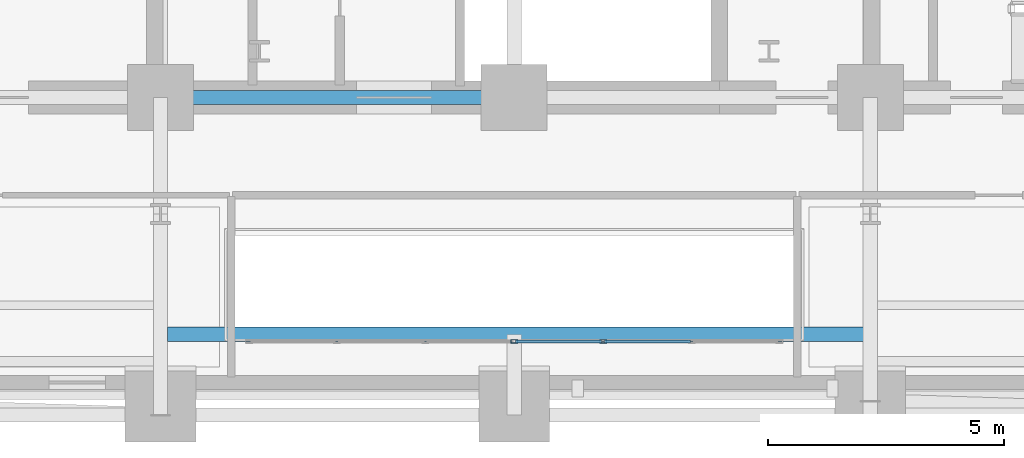
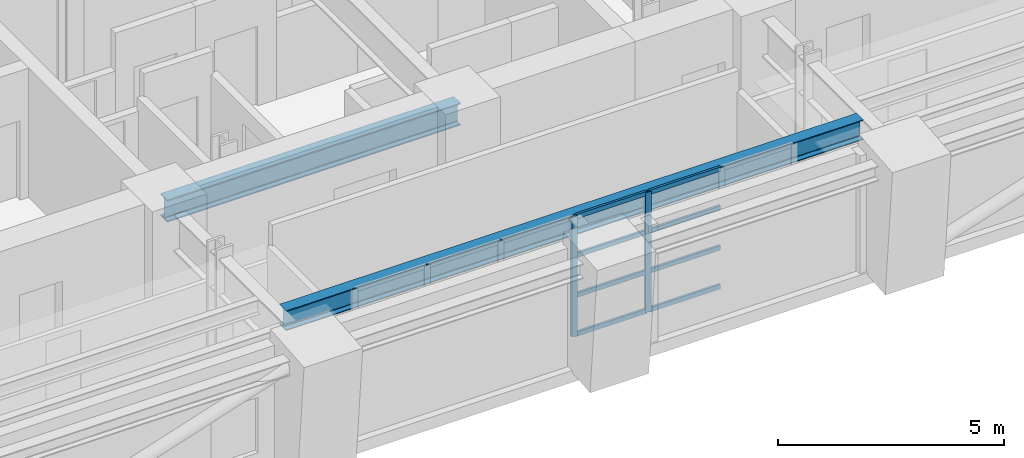
# One storey, part 3 of 16: 10 members, 2 beams, 1 element without a shape of its own.
"""IFC4 building model written with IfcOpenShell, lengths in metres."""

from ifc_helpers import new_model, si_unit, direction, frame, origin, origin_2d, place, context, subcontext, project, spatial, hollow_rectangle, i_section, extrude, material, layer, layer_set, material_profile, profile_set, type_object, element, aggregate, save


model = new_model("IFC4")

# Units and contexts
model_context = context("Model", 3, precision=1e-05, world=origin(), true_north=direction((0.0, 1.0)))
body_context = subcontext(model_context, "Body", "Model", "MODEL_VIEW")
ifc_project = project(units=[si_unit("LENGTHUNIT", "METRE"), si_unit("AREAUNIT", "SQUARE_METRE"), si_unit("VOLUMEUNIT", "CUBIC_METRE"), si_unit("PLANEANGLEUNIT", "RADIAN"), si_unit("MASSUNIT", "GRAM", prefix="KILO")], contexts=[model_context])

# Site, building, storey
site_placement = place(None, origin())
site = spatial("IfcSite", under=ifc_project, at=site_placement, CompositionType="ELEMENT")
building_placement = place(site_placement, origin())
building = spatial("IfcBuilding", under=site, at=building_placement, Name="Zarnavel Station Tower", CompositionType="ELEMENT")
storey_placement = place(building_placement, frame((0.0, 0.0, 53.5)))
storey = spatial("IfcBuildingStorey", under=building, at=storey_placement, Name="L14", CompositionType="ELEMENT", Elevation=53.5)

# Curtain wall, members
ifc_material_1 = material(Name="Aluminium Dark Anodised and Solar-Control Glass", Category="aluminium")
ifc_layer = layer(ifc_material_1, 0.179931640625)
ifc_layer_set = layer_set([ifc_layer], Name="CWS2")
curtain_wall_type = type_object("IfcCurtainWallType", Name="CWS2", PredefinedType="NOTDEFINED", material=ifc_layer_set)
curtain_wall_placement = place(storey_placement, origin())
curtain_wall = element("IfcCurtainWall", 1, at=curtain_wall_placement, inside=storey, type_object=curtain_wall_type, Name="L14 Curtain Wall CWS2-L14-AS", PredefinedType="NOTDEFINED")
ifc_material_2 = material(Name="Steel S355J2 (Black Fluoropolymer Coated)", Category="steel")
ifc_material_profile_1 = material_profile(ifc_material_2, hollow_rectangle(XDim=0.074951171875, YDim=0.14990234375, WallThickness=0.00634765625, at=origin_2d()), Name="RHS150x75x6.3")
ifc_profile_set_1 = profile_set([ifc_material_profile_1], Name="Steel S355J2 (Black Fluoropolymer Coated)")
member_type_1 = type_object("IfcMemberType", Name="CWS2_MUL", PredefinedType="MULLION", material=ifc_profile_set_1)
member_1_placement = place(storey_placement, frame((28.800048828125, 22.64990234375, 0.0), z_axis=(0.0, 0.0, 1.0), x_axis=(0.0, 1.0, 0.0)))
member_1 = element("IfcMember", 2, at=member_1_placement, type_object=member_type_1, Name="CW2 mullion 4", PredefinedType="MULLION", context=body_context, shape_type="SweptSolid", body=[
    extrude(hollow_rectangle(XDim=0.074951171875, YDim=0.14990234375, WallThickness=0.00634765625, at=origin_2d()), origin(), (0.0, 0.0, 1.0), 3.239990234375),
])
member_2_placement = place(storey_placement, frame((30.683349609375, 22.64990234375, 0.0), z_axis=(0.0, 0.0, 1.0), x_axis=(0.0, 1.0, 0.0)))
member_2 = element("IfcMember", 3, at=member_2_placement, type_object=member_type_1, Name="CW2 mullion 5", PredefinedType="MULLION", context=body_context, shape_type="SweptSolid", body=[
    extrude(hollow_rectangle(XDim=0.074951171875, YDim=0.14990234375, WallThickness=0.00634765625, at=origin_2d()), origin(), (0.0, 0.0, 1.0), 3.239990234375),
])
ifc_material_3 = material(Name="Steel S355J2 (Black Fluoropolymer Coated)", Category="steel")
ifc_material_profile_2 = material_profile(ifc_material_3, hollow_rectangle(XDim=0.06005859375, YDim=0.1201171875, WallThickness=0.0048828125, at=origin_2d()), Name="RHS120x60x5")
ifc_profile_set_2 = profile_set([ifc_material_profile_2], Name="Steel S355J2 (Black Fluoropolymer Coated)")
member_type_2 = type_object("IfcMemberType", Name="CWS2_TRN", PredefinedType="USERDEFINED", material=ifc_profile_set_2)
member_3_placement = place(storey_placement, frame((28.830078125, 22.64990234375, 0.030029296875), z_axis=(1.0, 0.0, 0.0), x_axis=(0.0, 1.0, 0.0)))
member_3 = element("IfcMember", 4, at=member_3_placement, type_object=member_type_2, Name="CW2 transom 4.1", ObjectType="TRANSOM", PredefinedType="USERDEFINED", context=body_context, shape_type="SweptSolid", body=[
    extrude(hollow_rectangle(XDim=0.06005859375, YDim=0.1201171875, WallThickness=0.0048828125, at=origin_2d()), origin(), (0.0, 0.0, 1.0), 1.8232421875),
])
member_4_placement = place(storey_placement, frame((28.830078125, 22.64990234375, 1.080078125), z_axis=(1.0, 0.0, 0.0), x_axis=(0.0, 1.0, 0.0)))
member_4 = element("IfcMember", 5, at=member_4_placement, type_object=member_type_2, Name="CW2 transom 4.2", ObjectType="TRANSOM", PredefinedType="USERDEFINED", context=body_context, shape_type="SweptSolid", body=[
    extrude(hollow_rectangle(XDim=0.06005859375, YDim=0.1201171875, WallThickness=0.0048828125, at=origin_2d()), origin(), (0.0, 0.0, 1.0), 1.8232421875),
])
member_5_placement = place(storey_placement, frame((28.830078125, 22.64990234375, 2.159912109375), z_axis=(1.0, 0.0, 0.0), x_axis=(0.0, 1.0, 0.0)))
member_5 = element("IfcMember", 6, at=member_5_placement, type_object=member_type_2, Name="CW2 transom 4.3", ObjectType="TRANSOM", PredefinedType="USERDEFINED", context=body_context, shape_type="SweptSolid", body=[
    extrude(hollow_rectangle(XDim=0.06005859375, YDim=0.1201171875, WallThickness=0.0048828125, at=origin_2d()), origin(), (0.0, 0.0, 1.0), 1.8232421875),
])
member_6_placement = place(storey_placement, frame((28.830078125, 22.64990234375, 3.2099609375), z_axis=(1.0, 0.0, 0.0), x_axis=(0.0, 1.0, 0.0)))
member_6 = element("IfcMember", 7, at=member_6_placement, type_object=member_type_2, Name="CW2 transom 4.4", ObjectType="TRANSOM", PredefinedType="USERDEFINED", context=body_context, shape_type="SweptSolid", body=[
    extrude(hollow_rectangle(XDim=0.06005859375, YDim=0.1201171875, WallThickness=0.0048828125, at=origin_2d()), origin(), (0.0, 0.0, 1.0), 1.8232421875),
])
member_7_placement = place(storey_placement, frame((30.71337890625, 22.64990234375, 0.030029296875), z_axis=(1.0, 0.0, 0.0), x_axis=(0.0, 1.0, 0.0)))
member_7 = element("IfcMember", 8, at=member_7_placement, type_object=member_type_2, Name="CW2 transom 5.1", ObjectType="TRANSOM", PredefinedType="USERDEFINED", context=body_context, shape_type="SweptSolid", body=[
    extrude(hollow_rectangle(XDim=0.06005859375, YDim=0.1201171875, WallThickness=0.0048828125, at=origin_2d()), origin(), (0.0, 0.0, 1.0), 1.8232421875),
])
member_8_placement = place(storey_placement, frame((30.71337890625, 22.64990234375, 1.080078125), z_axis=(1.0, 0.0, 0.0), x_axis=(0.0, 1.0, 0.0)))
member_8 = element("IfcMember", 9, at=member_8_placement, type_object=member_type_2, Name="CW2 transom 5.2", ObjectType="TRANSOM", PredefinedType="USERDEFINED", context=body_context, shape_type="SweptSolid", body=[
    extrude(hollow_rectangle(XDim=0.06005859375, YDim=0.1201171875, WallThickness=0.0048828125, at=origin_2d()), origin(), (0.0, 0.0, 1.0), 1.8232421875),
])
member_9_placement = place(storey_placement, frame((30.71337890625, 22.64990234375, 2.159912109375), z_axis=(1.0, 0.0, 0.0), x_axis=(0.0, 1.0, 0.0)))
member_9 = element("IfcMember", 10, at=member_9_placement, type_object=member_type_2, Name="CW2 transom 5.3", ObjectType="TRANSOM", PredefinedType="USERDEFINED", context=body_context, shape_type="SweptSolid", body=[
    extrude(hollow_rectangle(XDim=0.06005859375, YDim=0.1201171875, WallThickness=0.0048828125, at=origin_2d()), origin(), (0.0, 0.0, 1.0), 1.8232421875),
])
member_10_placement = place(storey_placement, frame((30.71337890625, 22.64990234375, 3.2099609375), z_axis=(1.0, 0.0, 0.0), x_axis=(0.0, 1.0, 0.0)))
member_10 = element("IfcMember", 11, at=member_10_placement, type_object=member_type_2, Name="CW2 transom 5.4", ObjectType="TRANSOM", PredefinedType="USERDEFINED", context=body_context, shape_type="SweptSolid", body=[
    extrude(hollow_rectangle(XDim=0.06005859375, YDim=0.1201171875, WallThickness=0.0048828125, at=origin_2d()), origin(), (0.0, 0.0, 1.0), 1.8232421875),
])
aggregate(curtain_wall, [member_1, member_2, member_3, member_4, member_5, member_6, member_7, member_8, member_9, member_10])

# Beams
ifc_material_4 = material(Name="Steel S355J2", Category="steel")
ifc_material_profile_3 = material_profile(ifc_material_4, i_section(OverallWidth=0.300048828125, OverallDepth=0.5400390625, WebThickness=0.012451171875, FlangeThickness=0.02392578125, FilletRadius=0.027099609375, at=origin_2d()), Name="HEA550")
ifc_profile_set_3 = profile_set([ifc_material_profile_3], Name="Steel S355J2")
beam_type_1 = type_object("IfcBeamType", Name="FB_HEA550", PredefinedType="BEAM", material=ifc_profile_set_3)
beam_1_placement = place(storey_placement, frame((21.445068359375, 22.800048828125, 2.969970703125), z_axis=(1.0, 0.0, 0.0), x_axis=(0.0, 1.0, 0.0)))
element("IfcBeam", 12, at=beam_1_placement, inside=storey, type_object=beam_type_1, Name="L14 Atrium South Edge Girder", PredefinedType="BEAM", context=body_context, shape_type="SweptSolid", body=[
    extrude(i_section(OverallWidth=0.300048828125, OverallDepth=0.5400390625, WebThickness=0.012451171875, FlangeThickness=0.02392578125, FilletRadius=0.027099609375, at=origin_2d()), origin(), (0.0, 0.0, 1.0), 14.760009765625),
])
ifc_material_5 = material(Name="Steel S355J2", Category="steel")
ifc_material_profile_4 = material_profile(ifc_material_5, i_section(OverallWidth=0.300048828125, OverallDepth=0.60009765625, WebThickness=0.015380859375, FlangeThickness=0.030029296875, FilletRadius=0.027099609375, at=origin_2d()), Name="HEB600")
ifc_profile_set_4 = profile_set([ifc_material_profile_4], Name="Steel S355J2")
beam_type_2 = type_object("IfcBeamType", Name="FG_HEB600", PredefinedType="USERDEFINED", material=ifc_profile_set_4)
beam_2_placement = place(storey_placement, frame((21.300048828125, 27.820068359375, 2.93994140625), z_axis=(1.0, 0.0, 0.0), x_axis=(0.0, 1.0, 0.0)))
element("IfcBeam", 13, at=beam_2_placement, inside=storey, type_object=beam_type_2, Name="L14 Core Front Coupling Beam 2", ObjectType="GIRDER", PredefinedType="USERDEFINED", context=body_context, shape_type="SweptSolid", body=[
    extrude(i_section(OverallWidth=0.300048828125, OverallDepth=0.60009765625, WebThickness=0.015380859375, FlangeThickness=0.030029296875, FilletRadius=0.027099609375, at=origin_2d()), origin(), (0.0, 0.0, 1.0), 7.5),
])

save(model, "model.ifc")
